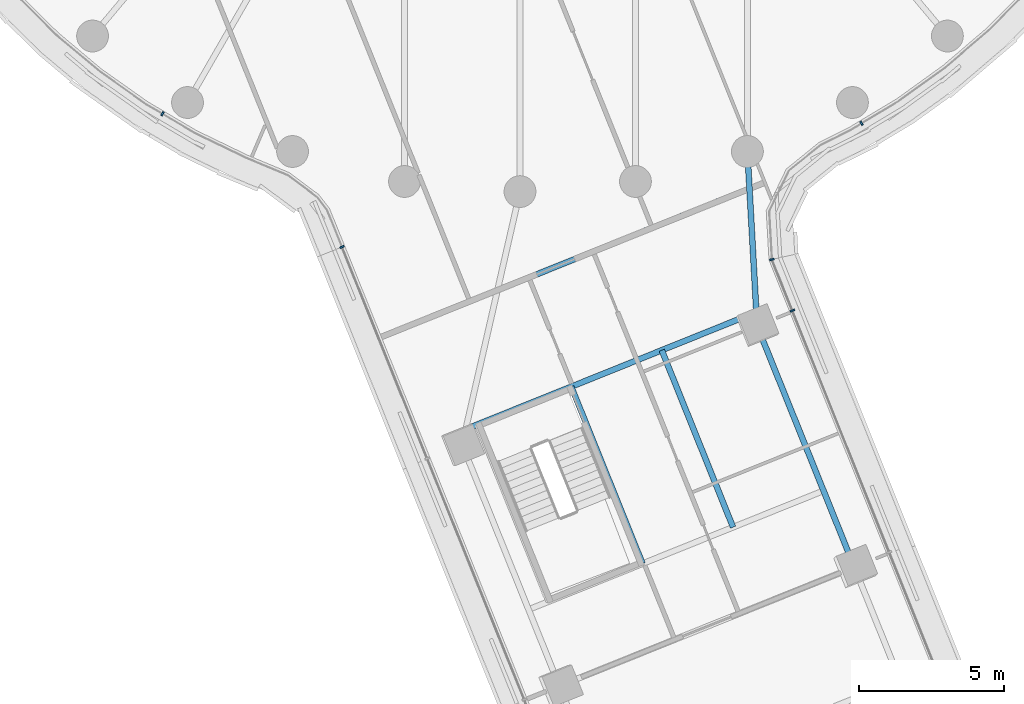
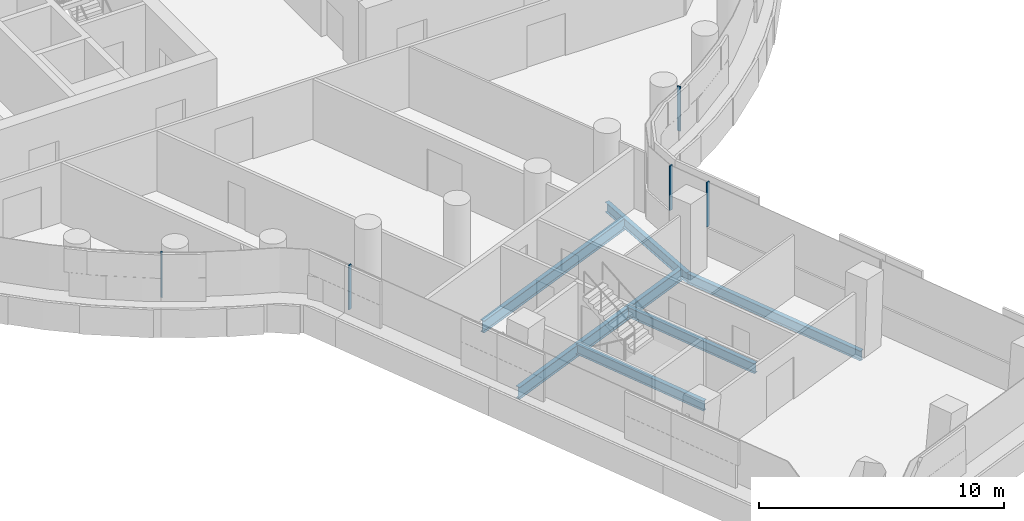
# One storey, part 3 of 32: 6 beams, 5 members, 4 elements without a shape of their own.
"""IFC4 building model written with IfcOpenShell, lengths in metres."""

from ifc_helpers import new_model, si_unit, direction, frame, origin, origin_2d, place, context, subcontext, project, spatial, rectangle, i_section, extrude, material, layer, layer_set, material_profile, profile_set, type_object, element, aggregate, save


model = new_model("IFC4")

# Units and contexts
model_context = context("Model", 3, precision=1e-05, world=origin(), true_north=direction((0.0, 1.0)))
body_context = subcontext(model_context, "Body", "Model", "MODEL_VIEW")
ifc_project = project(units=[si_unit("LENGTHUNIT", "METRE"), si_unit("AREAUNIT", "SQUARE_METRE"), si_unit("VOLUMEUNIT", "CUBIC_METRE"), si_unit("PLANEANGLEUNIT", "RADIAN"), si_unit("MASSUNIT", "GRAM", prefix="KILO")], contexts=[model_context])

# Site, building, storey
site_placement = place(None, origin())
site = spatial("IfcSite", under=ifc_project, at=site_placement, CompositionType="ELEMENT")
building_placement = place(site_placement, origin())
building = spatial("IfcBuilding", under=site, at=building_placement, Name="Tamarind Cross Interchange Tower", CompositionType="ELEMENT")
storey_placement = place(building_placement, frame((0.0, 0.0, 113.5)))
storey = spatial("IfcBuildingStorey", under=building, at=storey_placement, Name="L27", CompositionType="ELEMENT", Elevation=113.5)

# Beams
ifc_material_1 = material(Name="Steel Q355B", Category="steel")
ifc_material_profile_1 = material_profile(ifc_material_1, i_section(OverallWidth=0.198974609375, OverallDepth=0.49609375, WebThickness=0.009033203125, FlangeThickness=0.013916015625, FilletRadius=0.012939453125, at=origin_2d()), Name="HN 496x199x9x14")
ifc_profile_set_1 = profile_set([ifc_material_profile_1], Name="Steel Q355B")
beam_type_1 = type_object("IfcBeamType", Name="Composite beam HN 496x199x9x14 Q355B", PredefinedType="BEAM", material=ifc_profile_set_1)
beam_1_placement = place(storey_placement, frame((11.565673828125, -35.991943359375, -0.387939453125), z_axis=(-0.37364390845, 0.92757222343, 0.0), x_axis=(-0.92757222343, -0.37364390845, 0.0)))
element("IfcBeam", 1, at=beam_1_placement, inside=storey, type_object=beam_type_1, Name="Beam S-edgeep3", PredefinedType="BEAM", context=body_context, shape_type="SweptSolid", body=[
    extrude(i_section(OverallWidth=0.198974609375, OverallDepth=0.49609375, WebThickness=0.009033203125, FlangeThickness=0.013916015625, FilletRadius=0.012939453125, at=origin_2d()), origin(), (0.0, 0.0, 1.0), 9.0),
])
beam_2_placement = place(storey_placement, frame((8.202880859375, -27.643798828125, -0.387939453125), z_axis=(-0.055698358433, 0.998447641525, 0.0), x_axis=(-0.998447641525, -0.055698358433, 0.0)))
element("IfcBeam", 2, at=beam_2_placement, inside=storey, type_object=beam_type_1, Name="Beam S-linkep", PredefinedType="BEAM", context=body_context, shape_type="SweptSolid", body=[
    extrude(i_section(OverallWidth=0.198974609375, OverallDepth=0.49609375, WebThickness=0.009033203125, FlangeThickness=0.013916015625, FilletRadius=0.012939453125, at=origin_2d()), origin(), (0.0, 0.0, 1.0), 6.0400390625),
])
beam_3_placement = place(storey_placement, frame((1.773681640625, -29.74853515625, -0.387939453125), z_axis=(0.373653722651, -0.927568270021, 0.0), x_axis=(0.927568270021, 0.373653722651, 0.0)))
element("IfcBeam", 3, at=beam_3_placement, inside=storey, type_object=beam_type_1, Name="Beam S-tr1", PredefinedType="BEAM", context=body_context, shape_type="SweptSolid", body=[
    extrude(i_section(OverallWidth=0.198974609375, OverallDepth=0.49609375, WebThickness=0.009033203125, FlangeThickness=0.013916015625, FilletRadius=0.012939453125, at=origin_2d()), origin(), (0.0, 0.0, 1.0), 6.599853515625),
])
beam_4_placement = place(storey_placement, frame((4.904296875, -28.4873046875, -0.387939453125), z_axis=(0.373640902107, -0.927573434437, 0.0), x_axis=(0.927573434437, 0.373640902107, 0.0)))
element("IfcBeam", 4, at=beam_4_placement, inside=storey, type_object=beam_type_1, Name="Beam S-stripp", PredefinedType="BEAM", context=body_context, shape_type="SweptSolid", body=[
    extrude(i_section(OverallWidth=0.198974609375, OverallDepth=0.49609375, WebThickness=0.009033203125, FlangeThickness=0.013916015625, FilletRadius=0.012939453125, at=origin_2d()), origin(), (0.0, 0.0, 1.0), 6.60009765625),
])
ifc_material_profile_2 = material_profile(ifc_material_1, i_section(OverallWidth=0.199951171875, OverallDepth=0.60009765625, WebThickness=0.010986328125, FlangeThickness=0.01708984375, FilletRadius=0.012939453125, at=origin_2d()), Name="HN 600x200x11x17")
ifc_profile_set_2 = profile_set([ifc_material_profile_2], Name="Steel Q355B")
beam_type_2 = type_object("IfcBeamType", Name="Composite beam HN 600x200x11x17 Q355B", PredefinedType="BEAM", material=ifc_profile_set_2)
beam_5_placement = place(storey_placement, frame((-1.878173828125, -31.219482421875, -0.43994140625), z_axis=(0.927569930536, 0.373649600515, 0.0), x_axis=(-0.373649600515, 0.927569930536, 0.0)))
element("IfcBeam", 5, at=beam_5_placement, inside=storey, type_object=beam_type_2, Name="Beam S-x298", PredefinedType="BEAM", context=body_context, shape_type="SweptSolid", body=[
    extrude(i_section(OverallWidth=0.199951171875, OverallDepth=0.60009765625, WebThickness=0.010986328125, FlangeThickness=0.01708984375, FilletRadius=0.012939453125, at=origin_2d()), origin(), (0.0, 0.0, 1.0), 10.83984375),
])
beam_6_placement = place(storey_placement, frame((-0.779296875, -26.41064453125, -0.43994140625), z_axis=(0.927567410789, 0.373655855625, 0.0), x_axis=(-0.373655855625, 0.927567410789, 0.0)))
element("IfcBeam", 6, at=beam_6_placement, inside=storey, type_object=beam_type_2, Name="Beam S-x258", PredefinedType="BEAM", context=body_context, shape_type="SweptSolid", body=[
    extrude(i_section(OverallWidth=0.199951171875, OverallDepth=0.60009765625, WebThickness=0.010986328125, FlangeThickness=0.01708984375, FilletRadius=0.012939453125, at=origin_2d()), origin(), (0.0, 0.0, 1.0), 9.398193359375),
])

# Curtain wall, member
ifc_material_2 = material(Name="Aluminium 6063-T6", Category="aluminium")
ifc_layer = layer(ifc_material_2, 0.159912109375)
ifc_layer_set = layer_set([ifc_layer], Name="Aluminium 6063-T6")
curtain_wall_type = type_object("IfcCurtainWallType", Name="Office curtain wall, 9.0 m bays", PredefinedType="NOTDEFINED", material=ifc_layer_set)
curtain_wall_1_placement = place(storey_placement, origin())
curtain_wall_1 = element("IfcCurtainWall", 7, at=curtain_wall_1_placement, inside=storey, type_object=curtain_wall_type, Name="CWS-L27-02", PredefinedType="NOTDEFINED")
ifc_material_profile_3 = material_profile(ifc_material_2, rectangle(XDim=0.06005859375, YDim=0.159912109375, at=origin_2d()), Name="Mullion CW1")
ifc_profile_set_3 = profile_set([ifc_material_profile_3], Name="Aluminium 6063-T6")
member_type = type_object("IfcMemberType", Name="Mullion CW1", PredefinedType="MULLION", material=ifc_profile_set_3)
member_1_placement = place(storey_placement, frame((-12.36572265625, -20.309326171875, 1.39990234375), z_axis=(0.0, 0.0, 1.0), x_axis=(0.861248933065, -0.508183308752, 0.0)))
member_1 = element("IfcMember", 8, at=member_1_placement, type_object=member_type, Name="CWM-L27-02-02", PredefinedType="MULLION", context=body_context, shape_type="SweptSolid", body=[
    extrude(rectangle(XDim=0.06005859375, YDim=0.159912109375, at=origin_2d()), origin(), (0.0, 0.0, 1.0), 2.210205078125),
])
aggregate(curtain_wall_1, [member_1])

curtain_wall_2_placement = place(storey_placement, origin())
curtain_wall_2 = element("IfcCurtainWall", 9, at=curtain_wall_2_placement, inside=storey, type_object=curtain_wall_type, Name="CWS-L27-03", PredefinedType="NOTDEFINED")
member_2_placement = place(storey_placement, frame((-6.15673828125, -24.9150390625, 1.39990234375), z_axis=(0.0, 0.0, 1.0), x_axis=(0.375058663305, -0.927001078252, 0.0)))
member_2 = element("IfcMember", 10, at=member_2_placement, type_object=member_type, Name="CWM-L27-03-00", PredefinedType="MULLION", context=body_context, shape_type="SweptSolid", body=[
    extrude(rectangle(XDim=0.06005859375, YDim=0.159912109375, at=origin_2d()), origin(), (0.0, 0.0, 1.0), 2.210205078125),
])
aggregate(curtain_wall_2, [member_2])

curtain_wall_3_placement = place(storey_placement, origin())
curtain_wall_3 = element("IfcCurtainWall", 11, at=curtain_wall_3_placement, inside=storey, type_object=curtain_wall_type, Name="CWS-L27-05", PredefinedType="NOTDEFINED")
member_3_placement = place(storey_placement, frame((9.422607421875, -27.11767578125, 1.39990234375), z_axis=(0.0, 0.0, 1.0), x_axis=(-0.372124229448, 0.928182933401, 0.0)))
member_3 = element("IfcMember", 12, at=member_3_placement, type_object=member_type, Name="CWM-L27-05-02", PredefinedType="MULLION", context=body_context, shape_type="SweptSolid", body=[
    extrude(rectangle(XDim=0.06005859375, YDim=0.159912109375, at=origin_2d()), origin(), (0.0, 0.0, 1.0), 2.210205078125),
])
aggregate(curtain_wall_3, [member_3])

# Curtain wall, members
curtain_wall_4_placement = place(storey_placement, origin())
curtain_wall_4 = element("IfcCurtainWall", 13, at=curtain_wall_4_placement, inside=storey, type_object=curtain_wall_type, Name="CWS-L27-06", PredefinedType="NOTDEFINED")
member_4_placement = place(storey_placement, frame((8.712646484375, -25.347412109375, 1.39990234375), z_axis=(0.0, 0.0, 1.0), x_axis=(-0.217413332045, 0.976079629461, 0.0)))
member_4 = element("IfcMember", 14, at=member_4_placement, type_object=member_type, Name="CWM-L27-06-00", PredefinedType="MULLION", context=body_context, shape_type="SweptSolid", body=[
    extrude(rectangle(XDim=0.06005859375, YDim=0.159912109375, at=origin_2d()), origin(), (0.0, 0.0, 1.0), 2.210205078125),
])
member_5_placement = place(storey_placement, frame((11.812744140625, -20.639892578125, 1.39990234375), z_axis=(0.0, 0.0, 1.0), x_axis=(0.856843065292, 0.515577308909, 0.0)))
member_5 = element("IfcMember", 15, at=member_5_placement, type_object=member_type, Name="CWM-L27-06-01", PredefinedType="MULLION", context=body_context, shape_type="SweptSolid", body=[
    extrude(rectangle(XDim=0.06005859375, YDim=0.159912109375, at=origin_2d()), origin(), (0.0, 0.0, 1.0), 2.210205078125),
])
aggregate(curtain_wall_4, [member_4, member_5])

save(model, "model.ifc")
